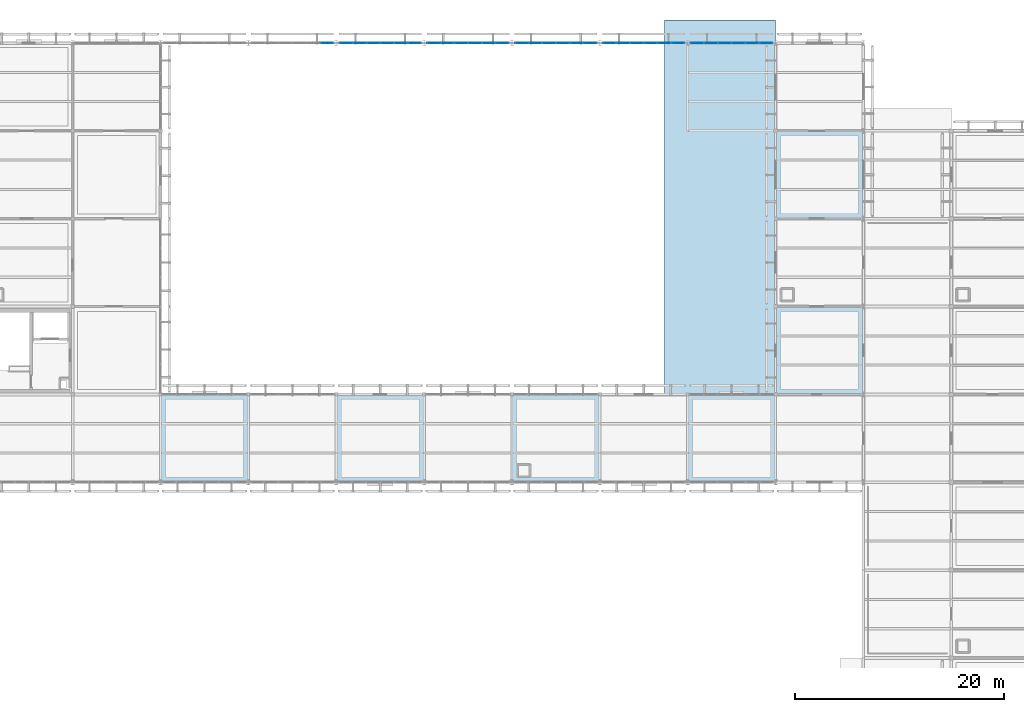
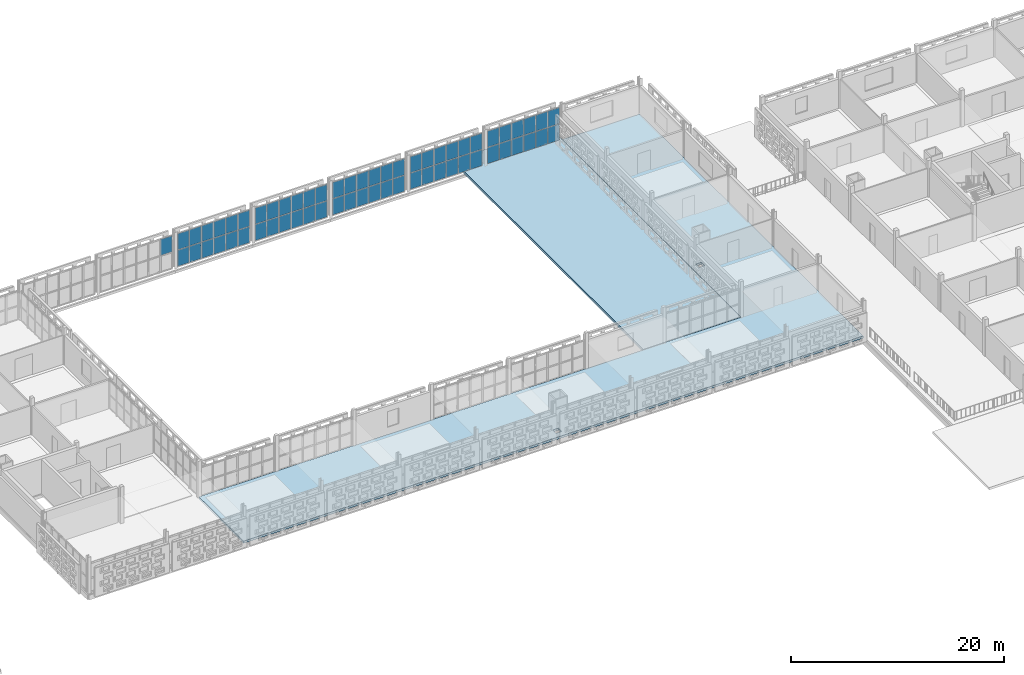
# One storey, part 79 of 140: 61 plates, 2 slabs, 6 elements without a shape of their own.
"""IFC4 building model written with IfcOpenShell, lengths in metres."""

from ifc_helpers import new_model, si_unit, direction, frame, origin, origin_2d, place, context, subcontext, project, spatial, polyline, rectangle, outline, extrude, material, layer, layer_set, type_object, element, aggregate, save


model = new_model("IFC4")

# Units and contexts
model_context = context("Model", 3, precision=1e-05, world=origin(), true_north=direction((0.0, 1.0)))
body_context = subcontext(model_context, "Body", "Model", "MODEL_VIEW")
ifc_project = project(units=[si_unit("LENGTHUNIT", "METRE"), si_unit("AREAUNIT", "SQUARE_METRE"), si_unit("VOLUMEUNIT", "CUBIC_METRE"), si_unit("PLANEANGLEUNIT", "RADIAN"), si_unit("MASSUNIT", "GRAM", prefix="KILO")], contexts=[model_context])

# Site, building, storey
site_placement = place(None, origin())
site = spatial("IfcSite", under=ifc_project, at=site_placement, CompositionType="ELEMENT")
building_placement = place(site_placement, origin())
building = spatial("IfcBuilding", under=site, at=building_placement, Name="Varnapada Polytechnic", CompositionType="ELEMENT")
storey_placement = place(building_placement, frame((0.0, 0.0, 13.800048828125)))
storey = spatial("IfcBuildingStorey", under=building, at=storey_placement, Name="L03", CompositionType="ELEMENT", Elevation=13.800048828125)

# Curtain wall, plate
ifc_material_1 = material(Name="Double low-E laminated glass", Category="glass")
ifc_layer_1 = layer(ifc_material_1, 0.159912109375)
ifc_layer_set_1 = layer_set([ifc_layer_1], Name="Double low-E laminated glass")
curtain_wall_type = type_object("IfcCurtainWallType", Name="Curtain Wall CW-02", PredefinedType="NOTDEFINED", material=ifc_layer_set_1)
curtain_wall_1_placement = place(storey_placement, origin())
curtain_wall_1 = element("IfcCurtainWall", 1, at=curtain_wall_1_placement, inside=storey, type_object=curtain_wall_type, Name="L03 high-bay workshop north curtain wall 10", PredefinedType="NOTDEFINED")
ifc_layer_2 = layer(ifc_material_1, 0.028076171875)
ifc_layer_set_2 = layer_set([ifc_layer_2], Name="Double low-E laminated glass")
plate_type = type_object("IfcPlateType", Name="Curtain Panel PNL-01", PredefinedType="CURTAIN_PANEL", material=ifc_layer_set_2)
plate_1_placement = place(storey_placement, frame((83.07666015625, 126.0, 1.955078125), z_axis=(0.0, 0.0, 1.0), x_axis=(1.0, 0.0, 0.0)))
plate_1 = element("IfcPlate", 2, at=plate_1_placement, type_object=plate_type, Name="CW-02 panel 6.2", PredefinedType="CURTAIN_PANEL", context=body_context, shape_type="SweptSolid", body=[
    extrude(rectangle(XDim=1.2265625, YDim=0.028076171875, at=origin_2d()), origin(), (0.0, 0.0, 1.0), 1.8349609375),
])
aggregate(curtain_wall_1, [plate_1])

# Curtain wall, plates
curtain_wall_2_placement = place(storey_placement, origin())
curtain_wall_2 = element("IfcCurtainWall", 3, at=curtain_wall_2_placement, inside=storey, type_object=curtain_wall_type, Name="L03 high-bay workshop north curtain wall 11", PredefinedType="NOTDEFINED")
plate_2_placement = place(storey_placement, frame((84.92333984375, 126.0, 0.06005859375), z_axis=(0.0, 0.0, 1.0), x_axis=(1.0, 0.0, 0.0)))
plate_2 = element("IfcPlate", 4, at=plate_2_placement, type_object=plate_type, Name="CW-02 panel 1.1", PredefinedType="CURTAIN_PANEL", context=body_context, shape_type="SweptSolid", body=[
    extrude(rectangle(XDim=1.2265625, YDim=0.028076171875, at=origin_2d()), origin(), (0.0, 0.0, 1.0), 1.8349609375),
])
plate_3_placement = place(storey_placement, frame((84.92333984375, 126.0, 1.955078125), z_axis=(0.0, 0.0, 1.0), x_axis=(1.0, 0.0, 0.0)))
plate_3 = element("IfcPlate", 5, at=plate_3_placement, type_object=plate_type, Name="CW-02 panel 1.2", PredefinedType="CURTAIN_PANEL", context=body_context, shape_type="SweptSolid", body=[
    extrude(rectangle(XDim=1.2265625, YDim=0.028076171875, at=origin_2d()), origin(), (0.0, 0.0, 1.0), 1.8349609375),
])
plate_4_placement = place(storey_placement, frame((86.22509765625, 126.0, 0.06005859375), z_axis=(0.0, 0.0, 1.0), x_axis=(1.0, 0.0, 0.0)))
plate_4 = element("IfcPlate", 6, at=plate_4_placement, type_object=plate_type, Name="CW-02 panel 2.1", PredefinedType="CURTAIN_PANEL", context=body_context, shape_type="SweptSolid", body=[
    extrude(rectangle(XDim=1.256591796875, YDim=0.028076171875, at=origin_2d()), origin(), (0.0, 0.0, 1.0), 1.8349609375),
])
plate_5_placement = place(storey_placement, frame((86.22509765625, 126.0, 1.955078125), z_axis=(0.0, 0.0, 1.0), x_axis=(1.0, 0.0, 0.0)))
plate_5 = element("IfcPlate", 7, at=plate_5_placement, type_object=plate_type, Name="CW-02 panel 2.2", PredefinedType="CURTAIN_PANEL", context=body_context, shape_type="SweptSolid", body=[
    extrude(rectangle(XDim=1.256591796875, YDim=0.028076171875, at=origin_2d()), origin(), (0.0, 0.0, 1.0), 1.8349609375),
])
plate_6_placement = place(storey_placement, frame((87.541748046875, 126.0, 0.06005859375), z_axis=(0.0, 0.0, 1.0), x_axis=(1.0, 0.0, 0.0)))
plate_6 = element("IfcPlate", 8, at=plate_6_placement, type_object=plate_type, Name="CW-02 panel 3.1", PredefinedType="CURTAIN_PANEL", context=body_context, shape_type="SweptSolid", body=[
    extrude(rectangle(XDim=1.256591796875, YDim=0.028076171875, at=origin_2d()), origin(), (0.0, 0.0, 1.0), 1.8349609375),
])
plate_7_placement = place(storey_placement, frame((87.541748046875, 126.0, 1.955078125), z_axis=(0.0, 0.0, 1.0), x_axis=(1.0, 0.0, 0.0)))
plate_7 = element("IfcPlate", 9, at=plate_7_placement, type_object=plate_type, Name="CW-02 panel 3.2", PredefinedType="CURTAIN_PANEL", context=body_context, shape_type="SweptSolid", body=[
    extrude(rectangle(XDim=1.256591796875, YDim=0.028076171875, at=origin_2d()), origin(), (0.0, 0.0, 1.0), 1.8349609375),
])
plate_8_placement = place(storey_placement, frame((88.8583984375, 126.0, 0.06005859375), z_axis=(0.0, 0.0, 1.0), x_axis=(1.0, 0.0, 0.0)))
plate_8 = element("IfcPlate", 10, at=plate_8_placement, type_object=plate_type, Name="CW-02 panel 4.1", PredefinedType="CURTAIN_PANEL", context=body_context, shape_type="SweptSolid", body=[
    extrude(rectangle(XDim=1.256591796875, YDim=0.028076171875, at=origin_2d()), origin(), (0.0, 0.0, 1.0), 1.8349609375),
])
plate_9_placement = place(storey_placement, frame((88.8583984375, 126.0, 1.955078125), z_axis=(0.0, 0.0, 1.0), x_axis=(1.0, 0.0, 0.0)))
plate_9 = element("IfcPlate", 11, at=plate_9_placement, type_object=plate_type, Name="CW-02 panel 4.2", PredefinedType="CURTAIN_PANEL", context=body_context, shape_type="SweptSolid", body=[
    extrude(rectangle(XDim=1.256591796875, YDim=0.028076171875, at=origin_2d()), origin(), (0.0, 0.0, 1.0), 1.8349609375),
])
plate_10_placement = place(storey_placement, frame((90.175048828125, 126.0, 0.06005859375), z_axis=(0.0, 0.0, 1.0), x_axis=(1.0, 0.0, 0.0)))
plate_10 = element("IfcPlate", 12, at=plate_10_placement, type_object=plate_type, Name="CW-02 panel 5.1", PredefinedType="CURTAIN_PANEL", context=body_context, shape_type="SweptSolid", body=[
    extrude(rectangle(XDim=1.256591796875, YDim=0.028076171875, at=origin_2d()), origin(), (0.0, 0.0, 1.0), 1.8349609375),
])
plate_11_placement = place(storey_placement, frame((90.175048828125, 126.0, 1.955078125), z_axis=(0.0, 0.0, 1.0), x_axis=(1.0, 0.0, 0.0)))
plate_11 = element("IfcPlate", 13, at=plate_11_placement, type_object=plate_type, Name="CW-02 panel 5.2", PredefinedType="CURTAIN_PANEL", context=body_context, shape_type="SweptSolid", body=[
    extrude(rectangle(XDim=1.256591796875, YDim=0.028076171875, at=origin_2d()), origin(), (0.0, 0.0, 1.0), 1.8349609375),
])
plate_12_placement = place(storey_placement, frame((91.4765625, 126.0, 0.06005859375), z_axis=(0.0, 0.0, 1.0), x_axis=(1.0, 0.0, 0.0)))
plate_12 = element("IfcPlate", 14, at=plate_12_placement, type_object=plate_type, Name="CW-02 panel 6.1", PredefinedType="CURTAIN_PANEL", context=body_context, shape_type="SweptSolid", body=[
    extrude(rectangle(XDim=1.2265625, YDim=0.028076171875, at=origin_2d()), origin(), (0.0, 0.0, 1.0), 1.8349609375),
])
plate_13_placement = place(storey_placement, frame((91.4765625, 126.0, 1.955078125), z_axis=(0.0, 0.0, 1.0), x_axis=(1.0, 0.0, 0.0)))
plate_13 = element("IfcPlate", 15, at=plate_13_placement, type_object=plate_type, Name="CW-02 panel 6.2", PredefinedType="CURTAIN_PANEL", context=body_context, shape_type="SweptSolid", body=[
    extrude(rectangle(XDim=1.2265625, YDim=0.028076171875, at=origin_2d()), origin(), (0.0, 0.0, 1.0), 1.8349609375),
])
aggregate(curtain_wall_2, [plate_2, plate_3, plate_4, plate_5, plate_6, plate_7, plate_8, plate_9, plate_10, plate_11, plate_12, plate_13])

curtain_wall_3_placement = place(storey_placement, origin())
curtain_wall_3 = element("IfcCurtainWall", 16, at=curtain_wall_3_placement, inside=storey, type_object=curtain_wall_type, Name="L03 high-bay workshop north curtain wall 12", PredefinedType="NOTDEFINED")
plate_14_placement = place(storey_placement, frame((93.3232421875, 126.0, 0.06005859375), z_axis=(0.0, 0.0, 1.0), x_axis=(1.0, 0.0, 0.0)))
plate_14 = element("IfcPlate", 17, at=plate_14_placement, type_object=plate_type, Name="CW-02 panel 1.1", PredefinedType="CURTAIN_PANEL", context=body_context, shape_type="SweptSolid", body=[
    extrude(rectangle(XDim=1.2265625, YDim=0.028076171875, at=origin_2d()), origin(), (0.0, 0.0, 1.0), 1.8349609375),
])
plate_15_placement = place(storey_placement, frame((93.3232421875, 126.0, 1.955078125), z_axis=(0.0, 0.0, 1.0), x_axis=(1.0, 0.0, 0.0)))
plate_15 = element("IfcPlate", 18, at=plate_15_placement, type_object=plate_type, Name="CW-02 panel 1.2", PredefinedType="CURTAIN_PANEL", context=body_context, shape_type="SweptSolid", body=[
    extrude(rectangle(XDim=1.2265625, YDim=0.028076171875, at=origin_2d()), origin(), (0.0, 0.0, 1.0), 1.8349609375),
])
plate_16_placement = place(storey_placement, frame((94.625, 126.0, 0.06005859375), z_axis=(0.0, 0.0, 1.0), x_axis=(1.0, 0.0, 0.0)))
plate_16 = element("IfcPlate", 19, at=plate_16_placement, type_object=plate_type, Name="CW-02 panel 2.1", PredefinedType="CURTAIN_PANEL", context=body_context, shape_type="SweptSolid", body=[
    extrude(rectangle(XDim=1.256591796875, YDim=0.028076171875, at=origin_2d()), origin(), (0.0, 0.0, 1.0), 1.8349609375),
])
plate_17_placement = place(storey_placement, frame((94.625, 126.0, 1.955078125), z_axis=(0.0, 0.0, 1.0), x_axis=(1.0, 0.0, 0.0)))
plate_17 = element("IfcPlate", 20, at=plate_17_placement, type_object=plate_type, Name="CW-02 panel 2.2", PredefinedType="CURTAIN_PANEL", context=body_context, shape_type="SweptSolid", body=[
    extrude(rectangle(XDim=1.256591796875, YDim=0.028076171875, at=origin_2d()), origin(), (0.0, 0.0, 1.0), 1.8349609375),
])
plate_18_placement = place(storey_placement, frame((95.941650390625, 126.0, 0.06005859375), z_axis=(0.0, 0.0, 1.0), x_axis=(1.0, 0.0, 0.0)))
plate_18 = element("IfcPlate", 21, at=plate_18_placement, type_object=plate_type, Name="CW-02 panel 3.1", PredefinedType="CURTAIN_PANEL", context=body_context, shape_type="SweptSolid", body=[
    extrude(rectangle(XDim=1.256591796875, YDim=0.028076171875, at=origin_2d()), origin(), (0.0, 0.0, 1.0), 1.8349609375),
])
plate_19_placement = place(storey_placement, frame((95.941650390625, 126.0, 1.955078125), z_axis=(0.0, 0.0, 1.0), x_axis=(1.0, 0.0, 0.0)))
plate_19 = element("IfcPlate", 22, at=plate_19_placement, type_object=plate_type, Name="CW-02 panel 3.2", PredefinedType="CURTAIN_PANEL", context=body_context, shape_type="SweptSolid", body=[
    extrude(rectangle(XDim=1.256591796875, YDim=0.028076171875, at=origin_2d()), origin(), (0.0, 0.0, 1.0), 1.8349609375),
])
plate_20_placement = place(storey_placement, frame((97.25830078125, 126.0, 0.06005859375), z_axis=(0.0, 0.0, 1.0), x_axis=(1.0, 0.0, 0.0)))
plate_20 = element("IfcPlate", 23, at=plate_20_placement, type_object=plate_type, Name="CW-02 panel 4.1", PredefinedType="CURTAIN_PANEL", context=body_context, shape_type="SweptSolid", body=[
    extrude(rectangle(XDim=1.256591796875, YDim=0.028076171875, at=origin_2d()), origin(), (0.0, 0.0, 1.0), 1.8349609375),
])
plate_21_placement = place(storey_placement, frame((97.25830078125, 126.0, 1.955078125), z_axis=(0.0, 0.0, 1.0), x_axis=(1.0, 0.0, 0.0)))
plate_21 = element("IfcPlate", 24, at=plate_21_placement, type_object=plate_type, Name="CW-02 panel 4.2", PredefinedType="CURTAIN_PANEL", context=body_context, shape_type="SweptSolid", body=[
    extrude(rectangle(XDim=1.256591796875, YDim=0.028076171875, at=origin_2d()), origin(), (0.0, 0.0, 1.0), 1.8349609375),
])
plate_22_placement = place(storey_placement, frame((98.574951171875, 126.0, 0.06005859375), z_axis=(0.0, 0.0, 1.0), x_axis=(1.0, 0.0, 0.0)))
plate_22 = element("IfcPlate", 25, at=plate_22_placement, type_object=plate_type, Name="CW-02 panel 5.1", PredefinedType="CURTAIN_PANEL", context=body_context, shape_type="SweptSolid", body=[
    extrude(rectangle(XDim=1.256591796875, YDim=0.028076171875, at=origin_2d()), origin(), (0.0, 0.0, 1.0), 1.8349609375),
])
plate_23_placement = place(storey_placement, frame((98.574951171875, 126.0, 1.955078125), z_axis=(0.0, 0.0, 1.0), x_axis=(1.0, 0.0, 0.0)))
plate_23 = element("IfcPlate", 26, at=plate_23_placement, type_object=plate_type, Name="CW-02 panel 5.2", PredefinedType="CURTAIN_PANEL", context=body_context, shape_type="SweptSolid", body=[
    extrude(rectangle(XDim=1.256591796875, YDim=0.028076171875, at=origin_2d()), origin(), (0.0, 0.0, 1.0), 1.8349609375),
])
plate_24_placement = place(storey_placement, frame((99.876708984375, 126.0, 0.06005859375), z_axis=(0.0, 0.0, 1.0), x_axis=(1.0, 0.0, 0.0)))
plate_24 = element("IfcPlate", 27, at=plate_24_placement, type_object=plate_type, Name="CW-02 panel 6.1", PredefinedType="CURTAIN_PANEL", context=body_context, shape_type="SweptSolid", body=[
    extrude(rectangle(XDim=1.2265625, YDim=0.028076171875, at=origin_2d()), origin(), (0.0, 0.0, 1.0), 1.8349609375),
])
plate_25_placement = place(storey_placement, frame((99.876708984375, 126.0, 1.955078125), z_axis=(0.0, 0.0, 1.0), x_axis=(1.0, 0.0, 0.0)))
plate_25 = element("IfcPlate", 28, at=plate_25_placement, type_object=plate_type, Name="CW-02 panel 6.2", PredefinedType="CURTAIN_PANEL", context=body_context, shape_type="SweptSolid", body=[
    extrude(rectangle(XDim=1.2265625, YDim=0.028076171875, at=origin_2d()), origin(), (0.0, 0.0, 1.0), 1.8349609375),
])
aggregate(curtain_wall_3, [plate_14, plate_15, plate_16, plate_17, plate_18, plate_19, plate_20, plate_21, plate_22, plate_23, plate_24, plate_25])

curtain_wall_4_placement = place(storey_placement, origin())
curtain_wall_4 = element("IfcCurtainWall", 29, at=curtain_wall_4_placement, inside=storey, type_object=curtain_wall_type, Name="L03 high-bay workshop north curtain wall 13", PredefinedType="NOTDEFINED")
plate_26_placement = place(storey_placement, frame((101.723388671875, 126.0, 0.06005859375), z_axis=(0.0, 0.0, 1.0), x_axis=(1.0, 0.0, 0.0)))
plate_26 = element("IfcPlate", 30, at=plate_26_placement, type_object=plate_type, Name="CW-02 panel 1.1", PredefinedType="CURTAIN_PANEL", context=body_context, shape_type="SweptSolid", body=[
    extrude(rectangle(XDim=1.2265625, YDim=0.028076171875, at=origin_2d()), origin(), (0.0, 0.0, 1.0), 1.8349609375),
])
plate_27_placement = place(storey_placement, frame((101.723388671875, 126.0, 1.955078125), z_axis=(0.0, 0.0, 1.0), x_axis=(1.0, 0.0, 0.0)))
plate_27 = element("IfcPlate", 31, at=plate_27_placement, type_object=plate_type, Name="CW-02 panel 1.2", PredefinedType="CURTAIN_PANEL", context=body_context, shape_type="SweptSolid", body=[
    extrude(rectangle(XDim=1.2265625, YDim=0.028076171875, at=origin_2d()), origin(), (0.0, 0.0, 1.0), 1.8349609375),
])
plate_28_placement = place(storey_placement, frame((103.02490234375, 126.0, 0.06005859375), z_axis=(0.0, 0.0, 1.0), x_axis=(1.0, 0.0, 0.0)))
plate_28 = element("IfcPlate", 32, at=plate_28_placement, type_object=plate_type, Name="CW-02 panel 2.1", PredefinedType="CURTAIN_PANEL", context=body_context, shape_type="SweptSolid", body=[
    extrude(rectangle(XDim=1.256591796875, YDim=0.028076171875, at=origin_2d()), origin(), (0.0, 0.0, 1.0), 1.8349609375),
])
plate_29_placement = place(storey_placement, frame((103.02490234375, 126.0, 1.955078125), z_axis=(0.0, 0.0, 1.0), x_axis=(1.0, 0.0, 0.0)))
plate_29 = element("IfcPlate", 33, at=plate_29_placement, type_object=plate_type, Name="CW-02 panel 2.2", PredefinedType="CURTAIN_PANEL", context=body_context, shape_type="SweptSolid", body=[
    extrude(rectangle(XDim=1.256591796875, YDim=0.028076171875, at=origin_2d()), origin(), (0.0, 0.0, 1.0), 1.8349609375),
])
plate_30_placement = place(storey_placement, frame((104.341552734375, 126.0, 0.06005859375), z_axis=(0.0, 0.0, 1.0), x_axis=(1.0, 0.0, 0.0)))
plate_30 = element("IfcPlate", 34, at=plate_30_placement, type_object=plate_type, Name="CW-02 panel 3.1", PredefinedType="CURTAIN_PANEL", context=body_context, shape_type="SweptSolid", body=[
    extrude(rectangle(XDim=1.256591796875, YDim=0.028076171875, at=origin_2d()), origin(), (0.0, 0.0, 1.0), 1.8349609375),
])
plate_31_placement = place(storey_placement, frame((104.341552734375, 126.0, 1.955078125), z_axis=(0.0, 0.0, 1.0), x_axis=(1.0, 0.0, 0.0)))
plate_31 = element("IfcPlate", 35, at=plate_31_placement, type_object=plate_type, Name="CW-02 panel 3.2", PredefinedType="CURTAIN_PANEL", context=body_context, shape_type="SweptSolid", body=[
    extrude(rectangle(XDim=1.256591796875, YDim=0.028076171875, at=origin_2d()), origin(), (0.0, 0.0, 1.0), 1.8349609375),
])
plate_32_placement = place(storey_placement, frame((105.658447265625, 126.0, 0.06005859375), z_axis=(0.0, 0.0, 1.0), x_axis=(1.0, 0.0, 0.0)))
plate_32 = element("IfcPlate", 36, at=plate_32_placement, type_object=plate_type, Name="CW-02 panel 4.1", PredefinedType="CURTAIN_PANEL", context=body_context, shape_type="SweptSolid", body=[
    extrude(rectangle(XDim=1.256591796875, YDim=0.028076171875, at=origin_2d()), origin(), (0.0, 0.0, 1.0), 1.8349609375),
])
plate_33_placement = place(storey_placement, frame((105.658447265625, 126.0, 1.955078125), z_axis=(0.0, 0.0, 1.0), x_axis=(1.0, 0.0, 0.0)))
plate_33 = element("IfcPlate", 37, at=plate_33_placement, type_object=plate_type, Name="CW-02 panel 4.2", PredefinedType="CURTAIN_PANEL", context=body_context, shape_type="SweptSolid", body=[
    extrude(rectangle(XDim=1.256591796875, YDim=0.028076171875, at=origin_2d()), origin(), (0.0, 0.0, 1.0), 1.8349609375),
])
plate_34_placement = place(storey_placement, frame((106.97509765625, 126.0, 0.06005859375), z_axis=(0.0, 0.0, 1.0), x_axis=(1.0, 0.0, 0.0)))
plate_34 = element("IfcPlate", 38, at=plate_34_placement, type_object=plate_type, Name="CW-02 panel 5.1", PredefinedType="CURTAIN_PANEL", context=body_context, shape_type="SweptSolid", body=[
    extrude(rectangle(XDim=1.256591796875, YDim=0.028076171875, at=origin_2d()), origin(), (0.0, 0.0, 1.0), 1.8349609375),
])
plate_35_placement = place(storey_placement, frame((106.97509765625, 126.0, 1.955078125), z_axis=(0.0, 0.0, 1.0), x_axis=(1.0, 0.0, 0.0)))
plate_35 = element("IfcPlate", 39, at=plate_35_placement, type_object=plate_type, Name="CW-02 panel 5.2", PredefinedType="CURTAIN_PANEL", context=body_context, shape_type="SweptSolid", body=[
    extrude(rectangle(XDim=1.256591796875, YDim=0.028076171875, at=origin_2d()), origin(), (0.0, 0.0, 1.0), 1.8349609375),
])
plate_36_placement = place(storey_placement, frame((108.276611328125, 126.0, 0.06005859375), z_axis=(0.0, 0.0, 1.0), x_axis=(1.0, 0.0, 0.0)))
plate_36 = element("IfcPlate", 40, at=plate_36_placement, type_object=plate_type, Name="CW-02 panel 6.1", PredefinedType="CURTAIN_PANEL", context=body_context, shape_type="SweptSolid", body=[
    extrude(rectangle(XDim=1.2265625, YDim=0.028076171875, at=origin_2d()), origin(), (0.0, 0.0, 1.0), 1.8349609375),
])
plate_37_placement = place(storey_placement, frame((108.276611328125, 126.0, 1.955078125), z_axis=(0.0, 0.0, 1.0), x_axis=(1.0, 0.0, 0.0)))
plate_37 = element("IfcPlate", 41, at=plate_37_placement, type_object=plate_type, Name="CW-02 panel 6.2", PredefinedType="CURTAIN_PANEL", context=body_context, shape_type="SweptSolid", body=[
    extrude(rectangle(XDim=1.2265625, YDim=0.028076171875, at=origin_2d()), origin(), (0.0, 0.0, 1.0), 1.8349609375),
])
aggregate(curtain_wall_4, [plate_26, plate_27, plate_28, plate_29, plate_30, plate_31, plate_32, plate_33, plate_34, plate_35, plate_36, plate_37])

curtain_wall_5_placement = place(storey_placement, origin())
curtain_wall_5 = element("IfcCurtainWall", 42, at=curtain_wall_5_placement, inside=storey, type_object=curtain_wall_type, Name="L03 high-bay workshop north curtain wall 14", PredefinedType="NOTDEFINED")
plate_38_placement = place(storey_placement, frame((110.123291015625, 126.0, 0.06005859375), z_axis=(0.0, 0.0, 1.0), x_axis=(1.0, 0.0, 0.0)))
plate_38 = element("IfcPlate", 43, at=plate_38_placement, type_object=plate_type, Name="CW-02 panel 1.1", PredefinedType="CURTAIN_PANEL", context=body_context, shape_type="SweptSolid", body=[
    extrude(rectangle(XDim=1.2265625, YDim=0.028076171875, at=origin_2d()), origin(), (0.0, 0.0, 1.0), 1.8349609375),
])
plate_39_placement = place(storey_placement, frame((110.123291015625, 126.0, 1.955078125), z_axis=(0.0, 0.0, 1.0), x_axis=(1.0, 0.0, 0.0)))
plate_39 = element("IfcPlate", 44, at=plate_39_placement, type_object=plate_type, Name="CW-02 panel 1.2", PredefinedType="CURTAIN_PANEL", context=body_context, shape_type="SweptSolid", body=[
    extrude(rectangle(XDim=1.2265625, YDim=0.028076171875, at=origin_2d()), origin(), (0.0, 0.0, 1.0), 1.8349609375),
])
plate_40_placement = place(storey_placement, frame((111.425048828125, 126.0, 0.06005859375), z_axis=(0.0, 0.0, 1.0), x_axis=(1.0, 0.0, 0.0)))
plate_40 = element("IfcPlate", 45, at=plate_40_placement, type_object=plate_type, Name="CW-02 panel 2.1", PredefinedType="CURTAIN_PANEL", context=body_context, shape_type="SweptSolid", body=[
    extrude(rectangle(XDim=1.256591796875, YDim=0.028076171875, at=origin_2d()), origin(), (0.0, 0.0, 1.0), 1.8349609375),
])
plate_41_placement = place(storey_placement, frame((111.425048828125, 126.0, 1.955078125), z_axis=(0.0, 0.0, 1.0), x_axis=(1.0, 0.0, 0.0)))
plate_41 = element("IfcPlate", 46, at=plate_41_placement, type_object=plate_type, Name="CW-02 panel 2.2", PredefinedType="CURTAIN_PANEL", context=body_context, shape_type="SweptSolid", body=[
    extrude(rectangle(XDim=1.256591796875, YDim=0.028076171875, at=origin_2d()), origin(), (0.0, 0.0, 1.0), 1.8349609375),
])
plate_42_placement = place(storey_placement, frame((112.74169921875, 126.0, 0.06005859375), z_axis=(0.0, 0.0, 1.0), x_axis=(1.0, 0.0, 0.0)))
plate_42 = element("IfcPlate", 47, at=plate_42_placement, type_object=plate_type, Name="CW-02 panel 3.1", PredefinedType="CURTAIN_PANEL", context=body_context, shape_type="SweptSolid", body=[
    extrude(rectangle(XDim=1.256591796875, YDim=0.028076171875, at=origin_2d()), origin(), (0.0, 0.0, 1.0), 1.8349609375),
])
plate_43_placement = place(storey_placement, frame((112.74169921875, 126.0, 1.955078125), z_axis=(0.0, 0.0, 1.0), x_axis=(1.0, 0.0, 0.0)))
plate_43 = element("IfcPlate", 48, at=plate_43_placement, type_object=plate_type, Name="CW-02 panel 3.2", PredefinedType="CURTAIN_PANEL", context=body_context, shape_type="SweptSolid", body=[
    extrude(rectangle(XDim=1.256591796875, YDim=0.028076171875, at=origin_2d()), origin(), (0.0, 0.0, 1.0), 1.8349609375),
])
plate_44_placement = place(storey_placement, frame((114.058349609375, 126.0, 0.06005859375), z_axis=(0.0, 0.0, 1.0), x_axis=(1.0, 0.0, 0.0)))
plate_44 = element("IfcPlate", 49, at=plate_44_placement, type_object=plate_type, Name="CW-02 panel 4.1", PredefinedType="CURTAIN_PANEL", context=body_context, shape_type="SweptSolid", body=[
    extrude(rectangle(XDim=1.256591796875, YDim=0.028076171875, at=origin_2d()), origin(), (0.0, 0.0, 1.0), 1.8349609375),
])
plate_45_placement = place(storey_placement, frame((114.058349609375, 126.0, 1.955078125), z_axis=(0.0, 0.0, 1.0), x_axis=(1.0, 0.0, 0.0)))
plate_45 = element("IfcPlate", 50, at=plate_45_placement, type_object=plate_type, Name="CW-02 panel 4.2", PredefinedType="CURTAIN_PANEL", context=body_context, shape_type="SweptSolid", body=[
    extrude(rectangle(XDim=1.256591796875, YDim=0.028076171875, at=origin_2d()), origin(), (0.0, 0.0, 1.0), 1.8349609375),
])
plate_46_placement = place(storey_placement, frame((115.375, 126.0, 0.06005859375), z_axis=(0.0, 0.0, 1.0), x_axis=(1.0, 0.0, 0.0)))
plate_46 = element("IfcPlate", 51, at=plate_46_placement, type_object=plate_type, Name="CW-02 panel 5.1", PredefinedType="CURTAIN_PANEL", context=body_context, shape_type="SweptSolid", body=[
    extrude(rectangle(XDim=1.256591796875, YDim=0.028076171875, at=origin_2d()), origin(), (0.0, 0.0, 1.0), 1.8349609375),
])
plate_47_placement = place(storey_placement, frame((115.375, 126.0, 1.955078125), z_axis=(0.0, 0.0, 1.0), x_axis=(1.0, 0.0, 0.0)))
plate_47 = element("IfcPlate", 52, at=plate_47_placement, type_object=plate_type, Name="CW-02 panel 5.2", PredefinedType="CURTAIN_PANEL", context=body_context, shape_type="SweptSolid", body=[
    extrude(rectangle(XDim=1.256591796875, YDim=0.028076171875, at=origin_2d()), origin(), (0.0, 0.0, 1.0), 1.8349609375),
])
plate_48_placement = place(storey_placement, frame((116.6767578125, 126.0, 0.06005859375), z_axis=(0.0, 0.0, 1.0), x_axis=(1.0, 0.0, 0.0)))
plate_48 = element("IfcPlate", 53, at=plate_48_placement, type_object=plate_type, Name="CW-02 panel 6.1", PredefinedType="CURTAIN_PANEL", context=body_context, shape_type="SweptSolid", body=[
    extrude(rectangle(XDim=1.2265625, YDim=0.028076171875, at=origin_2d()), origin(), (0.0, 0.0, 1.0), 1.8349609375),
])
plate_49_placement = place(storey_placement, frame((116.6767578125, 126.0, 1.955078125), z_axis=(0.0, 0.0, 1.0), x_axis=(1.0, 0.0, 0.0)))
plate_49 = element("IfcPlate", 54, at=plate_49_placement, type_object=plate_type, Name="CW-02 panel 6.2", PredefinedType="CURTAIN_PANEL", context=body_context, shape_type="SweptSolid", body=[
    extrude(rectangle(XDim=1.2265625, YDim=0.028076171875, at=origin_2d()), origin(), (0.0, 0.0, 1.0), 1.8349609375),
])
aggregate(curtain_wall_5, [plate_38, plate_39, plate_40, plate_41, plate_42, plate_43, plate_44, plate_45, plate_46, plate_47, plate_48, plate_49])

curtain_wall_6_placement = place(storey_placement, origin())
curtain_wall_6 = element("IfcCurtainWall", 55, at=curtain_wall_6_placement, inside=storey, type_object=curtain_wall_type, Name="L03 high-bay workshop north curtain wall 15", PredefinedType="NOTDEFINED")
plate_50_placement = place(storey_placement, frame((118.5234375, 126.0, 0.06005859375), z_axis=(0.0, 0.0, 1.0), x_axis=(1.0, 0.0, 0.0)))
plate_50 = element("IfcPlate", 56, at=plate_50_placement, type_object=plate_type, Name="CW-02 panel 1.1", PredefinedType="CURTAIN_PANEL", context=body_context, shape_type="SweptSolid", body=[
    extrude(rectangle(XDim=1.2265625, YDim=0.028076171875, at=origin_2d()), origin(), (0.0, 0.0, 1.0), 1.8349609375),
])
plate_51_placement = place(storey_placement, frame((118.5234375, 126.0, 1.955078125), z_axis=(0.0, 0.0, 1.0), x_axis=(1.0, 0.0, 0.0)))
plate_51 = element("IfcPlate", 57, at=plate_51_placement, type_object=plate_type, Name="CW-02 panel 1.2", PredefinedType="CURTAIN_PANEL", context=body_context, shape_type="SweptSolid", body=[
    extrude(rectangle(XDim=1.2265625, YDim=0.028076171875, at=origin_2d()), origin(), (0.0, 0.0, 1.0), 1.8349609375),
])
plate_52_placement = place(storey_placement, frame((119.824951171875, 126.0, 0.06005859375), z_axis=(0.0, 0.0, 1.0), x_axis=(1.0, 0.0, 0.0)))
plate_52 = element("IfcPlate", 58, at=plate_52_placement, type_object=plate_type, Name="CW-02 panel 2.1", PredefinedType="CURTAIN_PANEL", context=body_context, shape_type="SweptSolid", body=[
    extrude(rectangle(XDim=1.256591796875, YDim=0.028076171875, at=origin_2d()), origin(), (0.0, 0.0, 1.0), 1.8349609375),
])
plate_53_placement = place(storey_placement, frame((119.824951171875, 126.0, 1.955078125), z_axis=(0.0, 0.0, 1.0), x_axis=(1.0, 0.0, 0.0)))
plate_53 = element("IfcPlate", 59, at=plate_53_placement, type_object=plate_type, Name="CW-02 panel 2.2", PredefinedType="CURTAIN_PANEL", context=body_context, shape_type="SweptSolid", body=[
    extrude(rectangle(XDim=1.256591796875, YDim=0.028076171875, at=origin_2d()), origin(), (0.0, 0.0, 1.0), 1.8349609375),
])
plate_54_placement = place(storey_placement, frame((121.1416015625, 126.0, 0.06005859375), z_axis=(0.0, 0.0, 1.0), x_axis=(1.0, 0.0, 0.0)))
plate_54 = element("IfcPlate", 60, at=plate_54_placement, type_object=plate_type, Name="CW-02 panel 3.1", PredefinedType="CURTAIN_PANEL", context=body_context, shape_type="SweptSolid", body=[
    extrude(rectangle(XDim=1.256591796875, YDim=0.028076171875, at=origin_2d()), origin(), (0.0, 0.0, 1.0), 1.8349609375),
])
plate_55_placement = place(storey_placement, frame((121.1416015625, 126.0, 1.955078125), z_axis=(0.0, 0.0, 1.0), x_axis=(1.0, 0.0, 0.0)))
plate_55 = element("IfcPlate", 61, at=plate_55_placement, type_object=plate_type, Name="CW-02 panel 3.2", PredefinedType="CURTAIN_PANEL", context=body_context, shape_type="SweptSolid", body=[
    extrude(rectangle(XDim=1.256591796875, YDim=0.028076171875, at=origin_2d()), origin(), (0.0, 0.0, 1.0), 1.8349609375),
])
plate_56_placement = place(storey_placement, frame((122.458251953125, 126.0, 0.06005859375), z_axis=(0.0, 0.0, 1.0), x_axis=(1.0, 0.0, 0.0)))
plate_56 = element("IfcPlate", 62, at=plate_56_placement, type_object=plate_type, Name="CW-02 panel 4.1", PredefinedType="CURTAIN_PANEL", context=body_context, shape_type="SweptSolid", body=[
    extrude(rectangle(XDim=1.256591796875, YDim=0.028076171875, at=origin_2d()), origin(), (0.0, 0.0, 1.0), 1.8349609375),
])
plate_57_placement = place(storey_placement, frame((122.458251953125, 126.0, 1.955078125), z_axis=(0.0, 0.0, 1.0), x_axis=(1.0, 0.0, 0.0)))
plate_57 = element("IfcPlate", 63, at=plate_57_placement, type_object=plate_type, Name="CW-02 panel 4.2", PredefinedType="CURTAIN_PANEL", context=body_context, shape_type="SweptSolid", body=[
    extrude(rectangle(XDim=1.256591796875, YDim=0.028076171875, at=origin_2d()), origin(), (0.0, 0.0, 1.0), 1.8349609375),
])
plate_58_placement = place(storey_placement, frame((123.77490234375, 126.0, 0.06005859375), z_axis=(0.0, 0.0, 1.0), x_axis=(1.0, 0.0, 0.0)))
plate_58 = element("IfcPlate", 64, at=plate_58_placement, type_object=plate_type, Name="CW-02 panel 5.1", PredefinedType="CURTAIN_PANEL", context=body_context, shape_type="SweptSolid", body=[
    extrude(rectangle(XDim=1.256591796875, YDim=0.028076171875, at=origin_2d()), origin(), (0.0, 0.0, 1.0), 1.8349609375),
])
plate_59_placement = place(storey_placement, frame((123.77490234375, 126.0, 1.955078125), z_axis=(0.0, 0.0, 1.0), x_axis=(1.0, 0.0, 0.0)))
plate_59 = element("IfcPlate", 65, at=plate_59_placement, type_object=plate_type, Name="CW-02 panel 5.2", PredefinedType="CURTAIN_PANEL", context=body_context, shape_type="SweptSolid", body=[
    extrude(rectangle(XDim=1.256591796875, YDim=0.028076171875, at=origin_2d()), origin(), (0.0, 0.0, 1.0), 1.8349609375),
])
plate_60_placement = place(storey_placement, frame((125.07666015625, 126.0, 0.06005859375), z_axis=(0.0, 0.0, 1.0), x_axis=(1.0, 0.0, 0.0)))
plate_60 = element("IfcPlate", 66, at=plate_60_placement, type_object=plate_type, Name="CW-02 panel 6.1", PredefinedType="CURTAIN_PANEL", context=body_context, shape_type="SweptSolid", body=[
    extrude(rectangle(XDim=1.2265625, YDim=0.028076171875, at=origin_2d()), origin(), (0.0, 0.0, 1.0), 1.8349609375),
])
plate_61_placement = place(storey_placement, frame((125.07666015625, 126.0, 1.955078125), z_axis=(0.0, 0.0, 1.0), x_axis=(1.0, 0.0, 0.0)))
plate_61 = element("IfcPlate", 67, at=plate_61_placement, type_object=plate_type, Name="CW-02 panel 6.2", PredefinedType="CURTAIN_PANEL", context=body_context, shape_type="SweptSolid", body=[
    extrude(rectangle(XDim=1.2265625, YDim=0.028076171875, at=origin_2d()), origin(), (0.0, 0.0, 1.0), 1.8349609375),
])
aggregate(curtain_wall_6, [plate_50, plate_51, plate_52, plate_53, plate_54, plate_55, plate_56, plate_57, plate_58, plate_59, plate_60, plate_61])

# Slabs
ifc_material_2 = material(Name="Cross-laminated timber CLT C24", Category="wood")
ifc_layer_3 = layer(ifc_material_2, 0.239990234375)
ifc_layer_set_3 = layer_set([ifc_layer_3], Name="Cross-laminated timber CLT C24")
slab_type_1 = type_object("IfcSlabType", Name="L02/L03 laboratory CLT composite slab SL-06", PredefinedType="FLOOR", material=ifc_layer_set_3)
slab_1_placement = place(storey_placement, frame((0.0, 0.0, -0.239990234375)))
element("IfcSlab", 68, at=slab_1_placement, inside=storey, type_object=slab_type_1, Name="L03 V1 slab 2.1", PredefinedType="FLOOR", context=body_context, shape_type="SweptSolid", body=[
    extrude(outline(polyline([(75.60009765625, 92.39990234375), (84.0, 92.39990234375), (92.39990234375, 92.39990234375), (100.800048828125, 92.39990234375), (109.199951171875, 92.39990234375), (117.60009765625, 92.39990234375), (126.0, 92.39990234375), (126.0, 100.800048828125), (126.0, 109.199951171875), (126.0, 117.60009765625), (126.0, 126.0), (134.39990234375, 126.0), (134.39990234375, 117.60009765625), (134.39990234375, 109.199951171875), (134.39990234375, 100.800048828125), (134.39990234375, 92.39990234375), (134.39990234375, 84.0), (126.0, 84.0), (117.60009765625, 84.0), (109.199951171875, 84.0), (100.800048828125, 84.0), (92.39990234375, 84.0), (84.0, 84.0), (75.60009765625, 84.0), (67.199951171875, 84.0), (67.199951171875, 92.39990234375), (75.60009765625, 92.39990234375)]), holes=[polyline([(101.449951171875, 84.64990234375), (102.050048828125, 84.64990234375), (102.050048828125, 85.25), (101.449951171875, 85.25), (101.449951171875, 84.64990234375)]), polyline([(126.64990234375, 101.449951171875), (127.25, 101.449951171875), (127.25, 102.050048828125), (126.64990234375, 102.050048828125), (126.64990234375, 101.449951171875)])]), origin(), (0.0, 0.0, 1.0), 0.239990234375),
])
ifc_material_3 = material(Name="Concrete C40/50", Category="concrete")
ifc_layer_4 = layer(ifc_material_3, 0.27001953125)
ifc_layer_set_4 = layer_set([ifc_layer_4], Name="Concrete C40/50")
slab_type_2 = type_object("IfcSlabType", Name="Overhanging tropical eave roof slab RS-07", PredefinedType="ROOF", material=ifc_layer_set_4)
slab_2_placement = place(storey_placement, frame((0.0, 0.0, -0.27001953125)))
element("IfcSlab", 69, at=slab_2_placement, inside=storey, type_object=slab_type_2, Name="L03 overhanging eave roof slab 3", PredefinedType="ROOF", context=body_context, shape_type="SweptSolid", body=[
    extrude(outline(polyline([(115.39990234375, 92.419921875), (115.39990234375, 128.199951171875), (126.0, 128.199951171875), (126.0, 126.02001953125), (125.97998046875, 126.0), (125.97998046875, 92.419921875), (115.39990234375, 92.419921875)])), origin(), (0.0, 0.0, 1.0), 0.27001953125),
])

save(model, "model.ifc")
